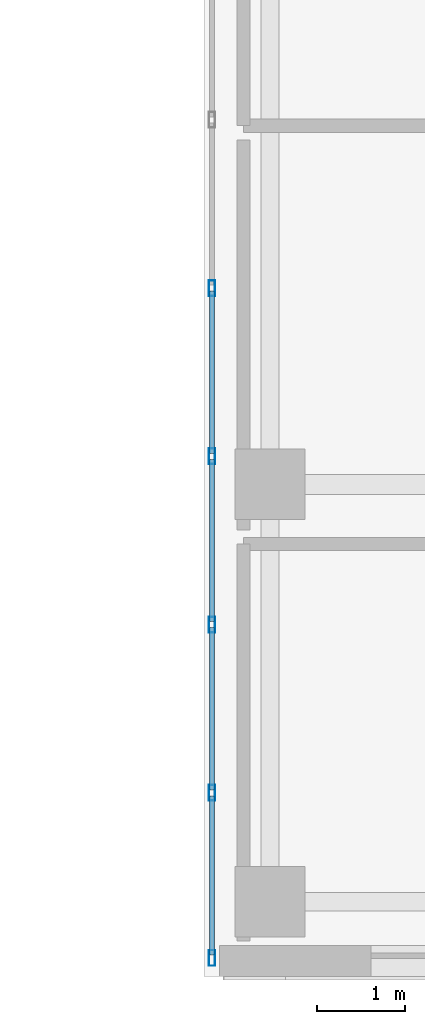
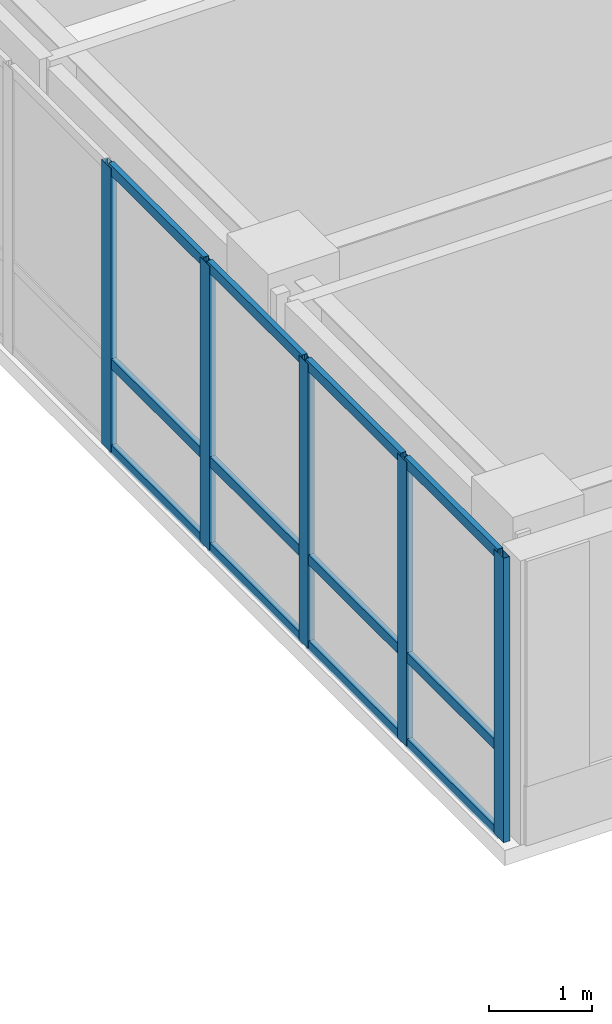
# One storey, part 4 of 21: 17 members, 1 element without a shape of its own.
"""IFC4 building model written with IfcOpenShell, lengths in metres."""

from ifc_helpers import new_model, si_unit, direction, frame, origin, origin_2d, place, context, subcontext, project, spatial, hollow_rectangle, extrude, source, transform, mapped, material, layer, layer_set, material_profile, profile_set, type_object, type_shapes, element, aggregate, save


model = new_model("IFC4")

# Units and contexts
model_context = context("Model", 3, precision=1e-05, world=origin(), true_north=direction((0.0, 1.0)))
body_context = subcontext(model_context, "Body", "Model", "MODEL_VIEW")
ifc_project = project(units=[si_unit("LENGTHUNIT", "METRE"), si_unit("AREAUNIT", "SQUARE_METRE"), si_unit("VOLUMEUNIT", "CUBIC_METRE"), si_unit("PLANEANGLEUNIT", "RADIAN"), si_unit("MASSUNIT", "GRAM", prefix="KILO")], contexts=[model_context])

# Site, building, storey
site_placement = place(None, origin())
site = spatial("IfcSite", under=ifc_project, at=site_placement, CompositionType="ELEMENT")
building_placement = place(site_placement, origin())
building = spatial("IfcBuilding", under=site, at=building_placement, Name="Tolvann Quenvar Hotel", CompositionType="ELEMENT")
storey_placement = place(building_placement, frame((0.0, 0.0, 161.25)))
storey = spatial("IfcBuildingStorey", under=building, at=storey_placement, Name="L42", CompositionType="ELEMENT", Elevation=161.25)

# Curtain wall, members
ifc_material_1 = material(Name="Thermally broken anodised architectural aluminium 6063-T6 and laminated low-E glass", Category="aluminium")
ifc_layer = layer(ifc_material_1, 0.179931640625)
ifc_layer_set = layer_set([ifc_layer], Name="Thermally broken anodised architectural aluminium 6063-T6 and laminated low-E glass")
curtain_wall_type = type_object("IfcCurtainWallType", Name="CW_SYS_SLOT_03", PredefinedType="USERDEFINED", material=ifc_layer_set)
curtain_wall_placement = place(storey_placement, origin())
curtain_wall = element("IfcCurtainWall", 1, at=curtain_wall_placement, inside=storey, type_object=curtain_wall_type, Name="Curtain Wall CW-SLOT-03 (CWR-L42-E07)", ObjectType="UNITISED CURTAIN WALL", PredefinedType="USERDEFINED")
ifc_material_2 = material(Name="Anodised architectural aluminium 6063-T6 framing", Category="aluminium")
ifc_material_profile_1 = material_profile(ifc_material_2, hollow_rectangle(XDim=0.070068359375, YDim=0.179931640625, WallThickness=0.00390625, at=origin_2d()), Name="180x70x4RHS")
ifc_profile_set_1 = profile_set([ifc_material_profile_1], Name="Anodised architectural aluminium 6063-T6 framing")
member_type_1 = type_object("IfcMemberType", Name="CW_MULL_180x70", PredefinedType="MULLION", material=ifc_profile_set_1)
shared_shape_1 = source(origin(), body_context, "Body", "SweptSolid", [
    extrude(hollow_rectangle(XDim=0.070068359375, YDim=0.179931640625, WallThickness=0.00390625, at=origin_2d()), origin(), (0.0, 0.0, 1.0), 3.3701171875),
])
type_shapes(member_type_1, [shared_shape_1])
member_1_placement = place(storey_placement, frame((34.2900390625, 10.43212890625, 0.0), z_axis=(0.0, 0.0, 1.0), x_axis=(1.0, 0.0, 0.0)))
member_1 = element("IfcMember", 2, at=member_1_placement, type_object=member_type_1, Name="CW-SLOT-03 mullion 4", PredefinedType="MULLION", context=body_context, shape_type="MappedRepresentation", body=[
    mapped(shared_shape_1, transform((0.0, 0.0, 0.0), x_axis=(1.0, 0.0, 0.0), y_axis=(0.0, 1.0, 0.0), z_axis=(0.0, 0.0, 1.0), scale=1.0)),
])
member_2_placement = place(storey_placement, frame((34.2900390625, 8.517822265625, 0.0), z_axis=(0.0, 0.0, 1.0), x_axis=(1.0, 0.0, 0.0)))
member_2 = element("IfcMember", 3, at=member_2_placement, type_object=member_type_1, Name="CW-SLOT-03 mullion 5", PredefinedType="MULLION", context=body_context, shape_type="MappedRepresentation", body=[
    mapped(shared_shape_1, transform((0.0, 0.0, 0.0), x_axis=(1.0, 0.0, 0.0), y_axis=(0.0, 1.0, 0.0), z_axis=(0.0, 0.0, 1.0), scale=1.0)),
])
member_3_placement = place(storey_placement, frame((34.2900390625, 6.603515625, 0.0), z_axis=(0.0, 0.0, 1.0), x_axis=(1.0, 0.0, 0.0)))
member_3 = element("IfcMember", 4, at=member_3_placement, type_object=member_type_1, Name="CW-SLOT-03 mullion 6", PredefinedType="MULLION", context=body_context, shape_type="MappedRepresentation", body=[
    mapped(shared_shape_1, transform((0.0, 0.0, 0.0), x_axis=(1.0, 0.0, 0.0), y_axis=(0.0, 1.0, 0.0), z_axis=(0.0, 0.0, 1.0), scale=1.0)),
])
member_4_placement = place(storey_placement, frame((34.2900390625, 4.689208984375, 0.0), z_axis=(0.0, 0.0, 1.0), x_axis=(1.0, 0.0, 0.0)))
member_4 = element("IfcMember", 5, at=member_4_placement, type_object=member_type_1, Name="CW-SLOT-03 mullion 7", PredefinedType="MULLION", context=body_context, shape_type="MappedRepresentation", body=[
    mapped(shared_shape_1, transform((0.0, 0.0, 0.0), x_axis=(1.0, 0.0, 0.0), y_axis=(0.0, 1.0, 0.0), z_axis=(0.0, 0.0, 1.0), scale=1.0)),
])
member_5_placement = place(storey_placement, frame((34.2900390625, 2.81005859375, 0.0), z_axis=(0.0, 0.0, 1.0), x_axis=(1.0, 0.0, 0.0)))
member_5 = element("IfcMember", 6, at=member_5_placement, type_object=member_type_1, Name="CW-SLOT-03 mullion 8", PredefinedType="MULLION", context=body_context, shape_type="MappedRepresentation", body=[
    mapped(shared_shape_1, transform((0.0, 0.0, 0.0), x_axis=(1.0, 0.0, 0.0), y_axis=(0.0, 1.0, 0.0), z_axis=(0.0, 0.0, 1.0), scale=1.0)),
])
ifc_material_profile_2 = material_profile(ifc_material_2, hollow_rectangle(XDim=0.06005859375, YDim=0.1201171875, WallThickness=0.00341796875, at=origin_2d()), Name="120x60x3.5RHS")
ifc_profile_set_2 = profile_set([ifc_material_profile_2], Name="Anodised architectural aluminium 6063-T6 framing")
member_type_2 = type_object("IfcMemberType", Name="CW_TRAN_120x60", PredefinedType="USERDEFINED", material=ifc_profile_set_2)
shared_shape_2 = source(origin(), body_context, "Body", "SweptSolid", [
    extrude(hollow_rectangle(XDim=0.06005859375, YDim=0.1201171875, WallThickness=0.00341796875, at=origin_2d()), origin(), (0.0, 0.0, 1.0), 1.809326171875),
])
member_6_placement = place(storey_placement, frame((34.2900390625, 4.654296875, 0.030029296875), z_axis=(0.0, -1.0, 0.0), x_axis=(1.0, 0.0, 0.0)))
member_6 = element("IfcMember", 7, at=member_6_placement, type_object=member_type_2, Name="CW-SLOT-03 transom 7.1", ObjectType="TRANSOM", PredefinedType="USERDEFINED", context=body_context, shape_type="MappedRepresentation", body=[
    mapped(shared_shape_2, transform((0.0, 0.0, 0.0), x_axis=(1.0, 0.0, 0.0), y_axis=(0.0, 1.0, 0.0), z_axis=(0.0, 0.0, 1.0), scale=1.0)),
])
member_7_placement = place(storey_placement, frame((34.2900390625, 4.654296875, 1.050048828125), z_axis=(0.0, -1.0, 0.0), x_axis=(1.0, 0.0, 0.0)))
member_7 = element("IfcMember", 8, at=member_7_placement, type_object=member_type_2, Name="CW-SLOT-03 transom 7.2", ObjectType="TRANSOM", PredefinedType="USERDEFINED", context=body_context, shape_type="MappedRepresentation", body=[
    mapped(shared_shape_2, transform((0.0, 0.0, 0.0), x_axis=(1.0, 0.0, 0.0), y_axis=(0.0, 1.0, 0.0), z_axis=(0.0, 0.0, 1.0), scale=1.0)),
])
member_8_placement = place(storey_placement, frame((34.2900390625, 4.654296875, 3.340087890625), z_axis=(0.0, -1.0, 0.0), x_axis=(1.0, 0.0, 0.0)))
member_8 = element("IfcMember", 9, at=member_8_placement, type_object=member_type_2, Name="CW-SLOT-03 transom 7.3", ObjectType="TRANSOM", PredefinedType="USERDEFINED", context=body_context, shape_type="MappedRepresentation", body=[
    mapped(shared_shape_2, transform((0.0, 0.0, 0.0), x_axis=(1.0, 0.0, 0.0), y_axis=(0.0, 1.0, 0.0), z_axis=(0.0, 0.0, 1.0), scale=1.0)),
])
shared_shape_3 = source(origin(), body_context, "Body", "SweptSolid", [
    extrude(hollow_rectangle(XDim=0.06005859375, YDim=0.1201171875, WallThickness=0.00341796875, at=origin_2d()), origin(), (0.0, 0.0, 1.0), 1.84423828125),
])
type_shapes(member_type_2, [shared_shape_2, shared_shape_3])
member_9_placement = place(storey_placement, frame((34.2900390625, 10.397216796875, 0.030029296875), z_axis=(0.0, -1.0, 0.0), x_axis=(1.0, 0.0, 0.0)))
member_9 = element("IfcMember", 10, at=member_9_placement, type_object=member_type_2, Name="CW-SLOT-03 transom 4.1", ObjectType="TRANSOM", PredefinedType="USERDEFINED", context=body_context, shape_type="MappedRepresentation", body=[
    mapped(shared_shape_3, transform((0.0, 0.0, 0.0), x_axis=(1.0, 0.0, 0.0), y_axis=(0.0, 1.0, 0.0), z_axis=(0.0, 0.0, 1.0), scale=1.0)),
])
member_10_placement = place(storey_placement, frame((34.2900390625, 10.397216796875, 1.050048828125), z_axis=(0.0, -1.0, 0.0), x_axis=(1.0, 0.0, 0.0)))
member_10 = element("IfcMember", 11, at=member_10_placement, type_object=member_type_2, Name="CW-SLOT-03 transom 4.2", ObjectType="TRANSOM", PredefinedType="USERDEFINED", context=body_context, shape_type="MappedRepresentation", body=[
    mapped(shared_shape_3, transform((0.0, 0.0, 0.0), x_axis=(1.0, 0.0, 0.0), y_axis=(0.0, 1.0, 0.0), z_axis=(0.0, 0.0, 1.0), scale=1.0)),
])
member_11_placement = place(storey_placement, frame((34.2900390625, 10.397216796875, 3.340087890625), z_axis=(0.0, -1.0, 0.0), x_axis=(1.0, 0.0, 0.0)))
member_11 = element("IfcMember", 12, at=member_11_placement, type_object=member_type_2, Name="CW-SLOT-03 transom 4.3", ObjectType="TRANSOM", PredefinedType="USERDEFINED", context=body_context, shape_type="MappedRepresentation", body=[
    mapped(shared_shape_3, transform((0.0, 0.0, 0.0), x_axis=(1.0, 0.0, 0.0), y_axis=(0.0, 1.0, 0.0), z_axis=(0.0, 0.0, 1.0), scale=1.0)),
])
member_12_placement = place(storey_placement, frame((34.2900390625, 8.48291015625, 0.030029296875), z_axis=(0.0, -1.0, 0.0), x_axis=(1.0, 0.0, 0.0)))
member_12 = element("IfcMember", 13, at=member_12_placement, type_object=member_type_2, Name="CW-SLOT-03 transom 5.1", ObjectType="TRANSOM", PredefinedType="USERDEFINED", context=body_context, shape_type="MappedRepresentation", body=[
    mapped(shared_shape_3, transform((0.0, 0.0, 0.0), x_axis=(1.0, 0.0, 0.0), y_axis=(0.0, 1.0, 0.0), z_axis=(0.0, 0.0, 1.0), scale=1.0)),
])
member_13_placement = place(storey_placement, frame((34.2900390625, 8.48291015625, 1.050048828125), z_axis=(0.0, -1.0, 0.0), x_axis=(1.0, 0.0, 0.0)))
member_13 = element("IfcMember", 14, at=member_13_placement, type_object=member_type_2, Name="CW-SLOT-03 transom 5.2", ObjectType="TRANSOM", PredefinedType="USERDEFINED", context=body_context, shape_type="MappedRepresentation", body=[
    mapped(shared_shape_3, transform((0.0, 0.0, 0.0), x_axis=(1.0, 0.0, 0.0), y_axis=(0.0, 1.0, 0.0), z_axis=(0.0, 0.0, 1.0), scale=1.0)),
])
member_14_placement = place(storey_placement, frame((34.2900390625, 8.48291015625, 3.340087890625), z_axis=(0.0, -1.0, 0.0), x_axis=(1.0, 0.0, 0.0)))
member_14 = element("IfcMember", 15, at=member_14_placement, type_object=member_type_2, Name="CW-SLOT-03 transom 5.3", ObjectType="TRANSOM", PredefinedType="USERDEFINED", context=body_context, shape_type="MappedRepresentation", body=[
    mapped(shared_shape_3, transform((0.0, 0.0, 0.0), x_axis=(1.0, 0.0, 0.0), y_axis=(0.0, 1.0, 0.0), z_axis=(0.0, 0.0, 1.0), scale=1.0)),
])
member_15_placement = place(storey_placement, frame((34.2900390625, 6.568603515625, 0.030029296875), z_axis=(0.0, -1.0, 0.0), x_axis=(1.0, 0.0, 0.0)))
member_15 = element("IfcMember", 16, at=member_15_placement, type_object=member_type_2, Name="CW-SLOT-03 transom 6.1", ObjectType="TRANSOM", PredefinedType="USERDEFINED", context=body_context, shape_type="MappedRepresentation", body=[
    mapped(shared_shape_3, transform((0.0, 0.0, 0.0), x_axis=(1.0, 0.0, 0.0), y_axis=(0.0, 1.0, 0.0), z_axis=(0.0, 0.0, 1.0), scale=1.0)),
])
member_16_placement = place(storey_placement, frame((34.2900390625, 6.568603515625, 1.050048828125), z_axis=(0.0, -1.0, 0.0), x_axis=(1.0, 0.0, 0.0)))
member_16 = element("IfcMember", 17, at=member_16_placement, type_object=member_type_2, Name="CW-SLOT-03 transom 6.2", ObjectType="TRANSOM", PredefinedType="USERDEFINED", context=body_context, shape_type="MappedRepresentation", body=[
    mapped(shared_shape_3, transform((0.0, 0.0, 0.0), x_axis=(1.0, 0.0, 0.0), y_axis=(0.0, 1.0, 0.0), z_axis=(0.0, 0.0, 1.0), scale=1.0)),
])
member_17_placement = place(storey_placement, frame((34.2900390625, 6.568603515625, 3.340087890625), z_axis=(0.0, -1.0, 0.0), x_axis=(1.0, 0.0, 0.0)))
member_17 = element("IfcMember", 18, at=member_17_placement, type_object=member_type_2, Name="CW-SLOT-03 transom 6.3", ObjectType="TRANSOM", PredefinedType="USERDEFINED", context=body_context, shape_type="MappedRepresentation", body=[
    mapped(shared_shape_3, transform((0.0, 0.0, 0.0), x_axis=(1.0, 0.0, 0.0), y_axis=(0.0, 1.0, 0.0), z_axis=(0.0, 0.0, 1.0), scale=1.0)),
])
aggregate(curtain_wall, [member_1, member_2, member_3, member_4, member_5, member_9, member_10, member_11, member_12, member_13, member_14, member_15, member_16, member_17, member_6, member_7, member_8])

save(model, "model.ifc")
